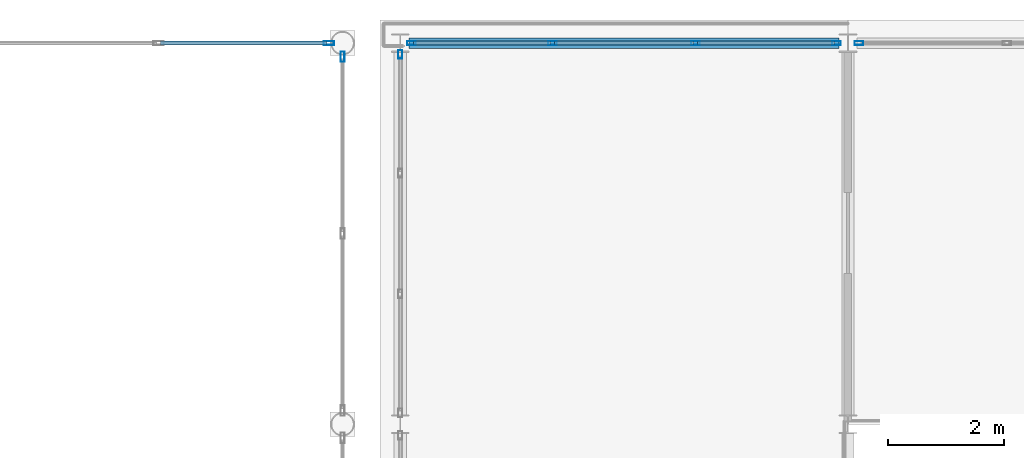
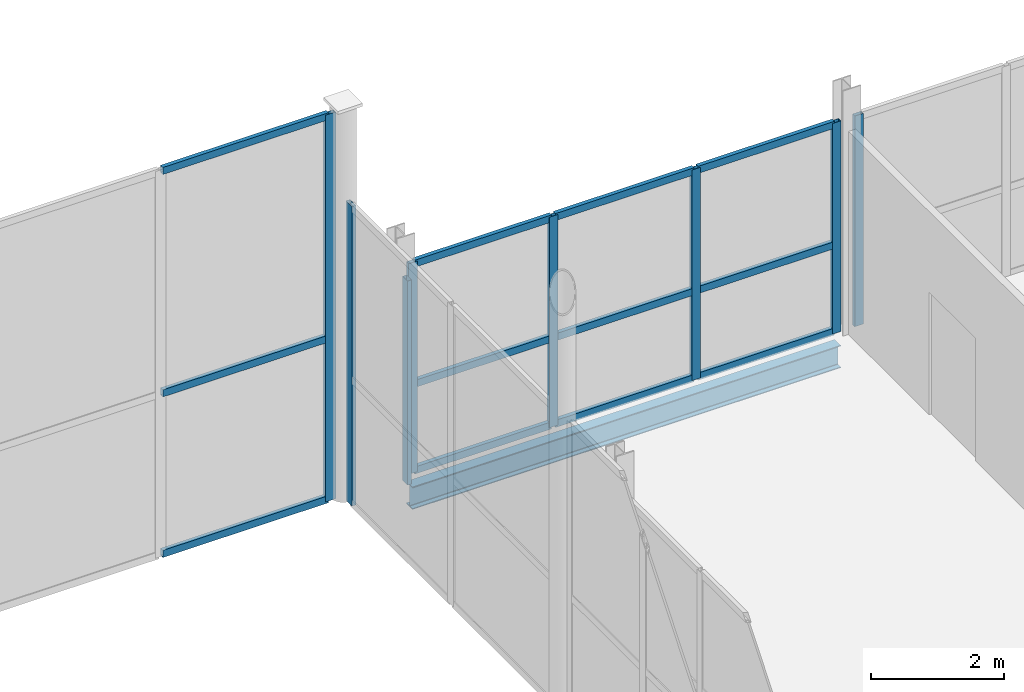
# One storey, part 49 of 77: 20 members, 1 beam, 5 elements without a shape of their own.
"""IFC4 building model written with IfcOpenShell, lengths in metres."""

import ifcopenshell
import ifcopenshell.guid

model = None  # the IFC model being written
_history = None  # IfcOwnerHistory: only IFC2X3 demands one
_inside = {}  # id of a spatial element -> (the spatial element, [elements in it])
_under = {}  # id of a project, library or spatial element -> (it, [spatial elements below it])
_declared = {}  # id of a project -> (the project, [libraries it declares])
_typed = {}  # id of a type object -> (the type object, [elements of that type])
_made_of = {}  # id of a material, layer set ... -> (it, [elements and type objects made of it])


def new_model(schema):
    """Start an empty IFC model of exactly this schema.

    Asked for "IFC4X3", IfcOpenShell would pick the latest addendum, in which some entities
    have other attributes; the version numbers below select the first issue.
    IFC2X3 requires an IfcOwnerHistory on every rooted entity: one is made here for all.
    """
    global model, _history
    if schema == "IFC4X3":
        model = ifcopenshell.file(schema_version=(4, 3, 0, 0))
    else:
        model = ifcopenshell.file(schema=schema)
    _inside.clear()
    _under.clear()
    _declared.clear()
    _typed.clear()
    _made_of.clear()
    _history = None
    if model.schema == "IFC2X3":
        org = make("IfcOrganization", Name="unknown")
        user = make(
            "IfcPersonAndOrganization",
            ThePerson=make("IfcPerson", FamilyName="unknown"),
            TheOrganization=org,
        )
        app = make(
            "IfcApplication",
            ApplicationDeveloper=org,
            Version="unknown",
            ApplicationFullName="unknown",
            ApplicationIdentifier="unknown",
        )
        _history = make(
            "IfcOwnerHistory",
            OwningUser=user,
            OwningApplication=app,
            ChangeAction="ADDED",
            CreationDate=0,
        )
    return model


def make(cls, **values):
    """One entity of the class cls with the attributes given. An attribute that is None is left unset."""
    return model.create_entity(
        cls, **{name: value for name, value in values.items() if value is not None}
    )


def rooted(cls, **values):
    """An entity with a GlobalId (a new one), such as an element, a storey or a relation."""
    return make(cls, GlobalId=ifcopenshell.guid.new(), OwnerHistory=_history, **values)


def si_unit(unit_type, name, prefix=None):
    """IfcSIUnit, for example si_unit("LENGTHUNIT", "METRE", prefix="MILLI")."""
    return make("IfcSIUnit", UnitType=unit_type, Prefix=prefix, Name=name)


def assignment(units):
    """IfcUnitAssignment: the units of a project."""
    return None if units is None else make("IfcUnitAssignment", Units=units)


def point(xyz):
    """IfcCartesianPoint."""
    return None if xyz is None else make("IfcCartesianPoint", Coordinates=xyz)


def direction(xyz):
    """IfcDirection."""
    return None if xyz is None else make("IfcDirection", DirectionRatios=xyz)


def frame(location, z_axis=None, x_axis=None):
    """IfcAxis2Placement3D, a coordinate frame: its origin and axes. An axis left out is left unset."""
    return make(
        "IfcAxis2Placement3D",
        Location=point(location),
        Axis=direction(z_axis),
        RefDirection=direction(x_axis),
    )


def frame_2d(location, x_axis=None):
    """IfcAxis2Placement2D, a coordinate frame in the plane: its origin and x axis."""
    return make(
        "IfcAxis2Placement2D", Location=point(location), RefDirection=direction(x_axis)
    )


def origin():
    """The frame at (0, 0, 0) with its axes left unset."""
    return frame((0.0, 0.0, 0.0))


def origin_2d():
    """The frame at (0, 0) in the plane with its x axis left unset."""
    return frame_2d((0.0, 0.0))


def place(relative_to, where):
    """IfcLocalPlacement: puts the frame where relative to a parent placement (None: the world)."""
    return make(
        "IfcLocalPlacement", PlacementRelTo=relative_to, RelativePlacement=where
    )


def context(
    kind, dimensions, precision=None, world=None, true_north=None, identifier=None
):
    """IfcGeometricRepresentationContext, for example the 3D "Model" context."""
    return make(
        "IfcGeometricRepresentationContext",
        ContextIdentifier=identifier,
        ContextType=kind,
        CoordinateSpaceDimension=dimensions,
        Precision=precision,
        WorldCoordinateSystem=world,
        TrueNorth=true_north,
    )


def subcontext(parent, identifier, kind, view, scale=None):
    """IfcGeometricRepresentationSubContext, for example "Body" below "Model"."""
    return make(
        "IfcGeometricRepresentationSubContext",
        ContextIdentifier=identifier,
        ContextType=kind,
        ParentContext=parent,
        TargetScale=scale,
        TargetView=view,
    )


def project(units=None, contexts=None):
    """IfcProject with its units and contexts."""
    return rooted(
        "IfcProject",
        Name="project",
        RepresentationContexts=contexts,
        UnitsInContext=assignment(units),
    )


def spatial(cls, under=None, at=None, **own):
    """A site, building, storey or space (cls), placed at a placement, below another one or the project."""
    s = rooted(cls, ObjectPlacement=at, **own)
    if under is not None:
        _under.setdefault(under.id(), (under, []))[1].append(s)
    return s


def profile(cls, at=None, kind="AREA", **sizes):
    """A parametric profile (cls). Its sizes go by their IFC names, for example OverallWidth=200.0."""
    return make(cls, ProfileType=kind, Position=at, **sizes)


def hollow_rectangle(**sizes):
    """IfcRectangleHollowProfileDef."""
    return profile("IfcRectangleHollowProfileDef", **sizes)


def i_section(**sizes):
    """IfcIShapeProfileDef."""
    return profile("IfcIShapeProfileDef", **sizes)


def extrude(swept, where, along, depth):
    """IfcExtrudedAreaSolid: the profile swept, set in the frame where, extruded along a direction by depth."""
    return make(
        "IfcExtrudedAreaSolid",
        SweptArea=swept,
        Position=where,
        ExtrudedDirection=direction(along),
        Depth=depth,
    )


def shape(context_of_items, identifier, shape_type, items):
    """IfcShapeRepresentation: the items that make up one representation, for example the "Body"."""
    return make(
        "IfcShapeRepresentation",
        ContextOfItems=context_of_items,
        RepresentationIdentifier=identifier,
        RepresentationType=shape_type,
        Items=items,
    )


def material(Name=None, Category=None):
    """IfcMaterial."""
    return make("IfcMaterial", Name=Name, Category=Category)


def layer(
    of_material, thickness, ventilated=None, Name=None, Category=None, Priority=None
):
    """IfcMaterialLayer: one layer of a wall or slab, of a material (None: an air gap)."""
    return make(
        "IfcMaterialLayer",
        Material=of_material,
        LayerThickness=thickness,
        IsVentilated=ventilated,
        Name=Name,
        Category=Category,
        Priority=Priority,
    )


def layer_set(layers, Name=None):
    """IfcMaterialLayerSet."""
    return make("IfcMaterialLayerSet", MaterialLayers=layers, LayerSetName=Name)


def material_profile(
    of_material, cross_section, Name=None, Category=None, Priority=None
):
    """IfcMaterialProfile: a cross section and its material."""
    return make(
        "IfcMaterialProfile",
        Name=Name,
        Material=of_material,
        Profile=cross_section,
        Priority=Priority,
        Category=Category,
    )


def profile_set(profiles, Name=None, composite=None):
    """IfcMaterialProfileSet."""
    return make(
        "IfcMaterialProfileSet",
        Name=Name,
        MaterialProfiles=profiles,
        CompositeProfile=composite,
    )


def made_of(thing, what):
    """Note that an element or type object is made of a material, layer set ...; save() writes the relation."""
    if what is not None:
        _made_of.setdefault(what.id(), (what, []))[1].append(thing)
    return thing


def type_object(cls, material=None, **own):
    """A type object (cls), such as IfcWallType, which elements share."""
    return made_of(rooted(cls, **own), material)


def element(
    cls,
    number,
    at=None,
    inside=None,
    cuts=None,
    type_object=None,
    material=None,
    context=None,
    identifier="Body",
    shape_type=None,
    held_by="IfcProductDefinitionShape",
    body=None,
    shapes=None,
    **own,
):
    """One element of the class cls, such as IfcWall. Its Tag is "e" and its number.

    at: its placement. inside: the storey or other place that contains it. cuts: it is an
    opening in that element (IfcRelVoidsElement). A single representation is given by context,
    identifier, shape_type and body (its items); several are given by shapes. held_by: the class
    of the entity that holds the representations. save() writes the other relations.
    """
    e = rooted(cls, Tag="e%d" % number, ObjectPlacement=at, **own)
    if body is not None:
        shapes = [shape(context, identifier, shape_type, body)]
    if shapes is not None:
        e.Representation = make(held_by, Representations=shapes)
    if inside is not None:
        _inside.setdefault(inside.id(), (inside, []))[1].append(e)
    if cuts is not None:
        rooted(
            "IfcRelVoidsElement", RelatingBuildingElement=cuts, RelatedOpeningElement=e
        )
    if type_object is not None:
        _typed.setdefault(type_object.id(), (type_object, []))[1].append(e)
    return made_of(e, material)


def aggregate(whole, parts):
    """IfcRelAggregates: a whole, such as a stair, and the parts it consists of."""
    return rooted("IfcRelAggregates", RelatingObject=whole, RelatedObjects=parts)


def save(model, path):
    """Write the relations noted so far, then the file.

    IfcRelAggregates (storeys below a building ...), IfcRelContainedInSpatialStructure (elements
    in a storey), IfcRelDefinesByType, IfcRelAssociatesMaterial and IfcRelDeclares: one each for
    every whole, place, type object, material and project.
    """
    for whole, parts in _under.values():
        aggregate(whole, parts)
    for where, things in _inside.values():
        rooted(
            "IfcRelContainedInSpatialStructure",
            RelatedElements=things,
            RelatingStructure=where,
        )
    for kind, things in _typed.values():
        rooted("IfcRelDefinesByType", RelatedObjects=things, RelatingType=kind)
    for what, things in _made_of.values():
        rooted("IfcRelAssociatesMaterial", RelatedObjects=things, RelatingMaterial=what)
    for by, libraries in _declared.values():
        rooted("IfcRelDeclares", RelatingContext=by, RelatedDefinitions=libraries)
    model.write(path)


model = new_model("IFC4")

# Units and contexts
model_context = context("Model", 3, precision=1e-05, world=origin(), true_north=direction((0.0, 1.0)))
body_context = subcontext(model_context, "Body", "Model", "MODEL_VIEW")
ifc_project = project(units=[si_unit("LENGTHUNIT", "METRE"), si_unit("AREAUNIT", "SQUARE_METRE"), si_unit("VOLUMEUNIT", "CUBIC_METRE"), si_unit("PLANEANGLEUNIT", "RADIAN"), si_unit("MASSUNIT", "GRAM", prefix="KILO")], contexts=[model_context])

# Site, building, storey
site_placement = place(None, origin())
site = spatial("IfcSite", under=ifc_project, at=site_placement, CompositionType="ELEMENT")
building_placement = place(site_placement, origin())
building = spatial("IfcBuilding", under=site, at=building_placement, Name="Quillay Park Conservatory", CompositionType="ELEMENT")
storey_placement = place(building_placement, frame((0.0, 0.0, 5.39990234375)))
storey = spatial("IfcBuildingStorey", under=building, at=storey_placement, Name="L01", CompositionType="ELEMENT", Elevation=5.39990234375)

# Curtain wall, members
ifc_material_1 = material(Name="Thermally Broken Anodised Aluminium 6063-T6", Category="aluminium")
ifc_layer_1 = layer(ifc_material_1, 0.1650390625)
ifc_layer_set_1 = layer_set([ifc_layer_1], Name="UNITISED CURTAIN WALL PODIUM (Thermally Broken Anodised Aluminium 6063-T6)")
curtain_wall_type_1 = type_object("IfcCurtainWallType", Name="UNITISED CURTAIN WALL PODIUM", PredefinedType="USERDEFINED", material=ifc_layer_set_1)
curtain_wall_1_placement = place(storey_placement, origin())
curtain_wall_1 = element("IfcCurtainWall", 1, at=curtain_wall_1_placement, inside=storey, type_object=curtain_wall_type_1, Name="L01 Unitised Curtain Wall 219", ObjectType="UNITISED CURTAIN WALL", PredefinedType="USERDEFINED")
ifc_material_2 = material(Name="Thermally Broken Anodised Aluminium 6063-T6", Category="aluminium")
ifc_material_profile_1 = material_profile(ifc_material_2, hollow_rectangle(XDim=0.070068359375, YDim=0.14990234375, WallThickness=0.00341796875, at=origin_2d()), Name="AL70x150x3.5")
ifc_profile_set_1 = profile_set([ifc_material_profile_1], Name="Thermally Broken Anodised Aluminium 6063-T6")
member_type_1 = type_object("IfcMemberType", Name="CURTAIN WALL MULLION 70 X150", PredefinedType="MULLION", material=ifc_profile_set_1)
member_1_placement = place(storey_placement, frame((116.044921875, 113.39990234375, 0.0), z_axis=(0.0, 0.0, 1.0), x_axis=(0.0, 1.0, 0.0)))
member_1 = element("IfcMember", 2, at=member_1_placement, type_object=member_type_1, Name="CW-P1 mullion 1", PredefinedType="MULLION", context=body_context, shape_type="SweptSolid", body=[
    extrude(hollow_rectangle(XDim=0.070068359375, YDim=0.14990234375, WallThickness=0.00341796875, at=origin_2d()), origin(), (0.0, 0.0, 1.0), 3.869140625),
])
member_2_placement = place(storey_placement, frame((118.486572265625, 113.39990234375, 0.0), z_axis=(0.0, 0.0, 1.0), x_axis=(0.0, 1.0, 0.0)))
member_2 = element("IfcMember", 3, at=member_2_placement, type_object=member_type_1, Name="CW-P1 mullion 2", PredefinedType="MULLION", context=body_context, shape_type="SweptSolid", body=[
    extrude(hollow_rectangle(XDim=0.070068359375, YDim=0.14990234375, WallThickness=0.00341796875, at=origin_2d()), origin(), (0.0, 0.0, 1.0), 3.869140625),
])
member_3_placement = place(storey_placement, frame((120.96337890625, 113.39990234375, 0.0), z_axis=(0.0, 0.0, 1.0), x_axis=(0.0, 1.0, 0.0)))
member_3 = element("IfcMember", 4, at=member_3_placement, type_object=member_type_1, Name="CW-P1 mullion 3", PredefinedType="MULLION", context=body_context, shape_type="SweptSolid", body=[
    extrude(hollow_rectangle(XDim=0.070068359375, YDim=0.14990234375, WallThickness=0.00341796875, at=origin_2d()), origin(), (0.0, 0.0, 1.0), 3.869140625),
])
member_4_placement = place(storey_placement, frame((123.405029296875, 113.39990234375, 0.0), z_axis=(0.0, 0.0, 1.0), x_axis=(0.0, 1.0, 0.0)))
member_4 = element("IfcMember", 5, at=member_4_placement, type_object=member_type_1, Name="CW-P1 mullion 4", PredefinedType="MULLION", context=body_context, shape_type="SweptSolid", body=[
    extrude(hollow_rectangle(XDim=0.070068359375, YDim=0.14990234375, WallThickness=0.00341796875, at=origin_2d()), origin(), (0.0, 0.0, 1.0), 3.869140625),
])

# Curtain wall, member
curtain_wall_2_placement = place(storey_placement, origin())
curtain_wall_2 = element("IfcCurtainWall", 6, at=curtain_wall_2_placement, inside=storey, type_object=curtain_wall_type_1, Name="L01 Unitised Curtain Wall 220", ObjectType="UNITISED CURTAIN WALL", PredefinedType="USERDEFINED")
member_5_placement = place(storey_placement, frame((123.794921875, 113.39990234375, 0.0), z_axis=(0.0, 0.0, 1.0), x_axis=(0.0, 1.0, 0.0)))
member_5 = element("IfcMember", 7, at=member_5_placement, type_object=member_type_1, Name="CW-P1 mullion 1", PredefinedType="MULLION", context=body_context, shape_type="SweptSolid", body=[
    extrude(hollow_rectangle(XDim=0.070068359375, YDim=0.14990234375, WallThickness=0.00341796875, at=origin_2d()), origin(), (0.0, 0.0, 1.0), 3.869140625),
])
aggregate(curtain_wall_2, [member_5])

curtain_wall_3_placement = place(storey_placement, origin())
curtain_wall_3 = element("IfcCurtainWall", 8, at=curtain_wall_3_placement, inside=storey, type_object=curtain_wall_type_1, Name="L01 Unitised Curtain Wall 228", ObjectType="UNITISED CURTAIN WALL", PredefinedType="USERDEFINED")
member_6_placement = place(storey_placement, frame((115.85009765625, 113.205078125, 0.0), z_axis=(0.0, 0.0, 1.0), x_axis=(-1.0, 0.0, 0.0)))
member_6 = element("IfcMember", 9, at=member_6_placement, type_object=member_type_1, Name="CW-P1 mullion 4", PredefinedType="MULLION", context=body_context, shape_type="SweptSolid", body=[
    extrude(hollow_rectangle(XDim=0.070068359375, YDim=0.14990234375, WallThickness=0.00341796875, at=origin_2d()), origin(), (0.0, 0.0, 1.0), 3.7490234375),
])
aggregate(curtain_wall_3, [member_6])

ifc_material_3 = material(Name="Thermally Broken Anodised Aluminium 6063-T6", Category="aluminium")
ifc_layer_2 = layer(ifc_material_3, 0.219970703125)
ifc_layer_set_2 = layer_set([ifc_layer_2], Name="UNITISED CURTAIN WALL CONSERVATORY (Thermally Broken Anodised Aluminium 6063-T6)")
curtain_wall_type_2 = type_object("IfcCurtainWallType", Name="UNITISED CURTAIN WALL CONSERVATORY", PredefinedType="USERDEFINED", material=ifc_layer_set_2)
curtain_wall_4_placement = place(storey_placement, origin())
curtain_wall_4 = element("IfcCurtainWall", 10, at=curtain_wall_4_placement, inside=storey, type_object=curtain_wall_type_2, Name="L01 Unitised Curtain Wall 162", ObjectType="UNITISED CURTAIN WALL", PredefinedType="USERDEFINED")
ifc_material_4 = material(Name="Thermally Broken Anodised Aluminium 6063-T6", Category="aluminium")
ifc_material_profile_2 = material_profile(ifc_material_4, hollow_rectangle(XDim=0.070068359375, YDim=0.179931640625, WallThickness=0.00390625, at=origin_2d()), Name="AL70x180x4")
ifc_profile_set_2 = profile_set([ifc_material_profile_2], Name="Thermally Broken Anodised Aluminium 6063-T6")
member_type_2 = type_object("IfcMemberType", Name="CURTAIN WALL MULLION 70 X180", PredefinedType="MULLION", material=ifc_profile_set_2)
member_7_placement = place(storey_placement, frame((114.613037109375, 113.39990234375, 0.0), z_axis=(0.0, 0.0, 1.0), x_axis=(0.0, 1.0, 0.0)))
member_7 = element("IfcMember", 11, at=member_7_placement, type_object=member_type_2, Name="CW-C1 mullion 4", PredefinedType="MULLION", context=body_context, shape_type="SweptSolid", body=[
    extrude(hollow_rectangle(XDim=0.070068359375, YDim=0.179931640625, WallThickness=0.00390625, at=origin_2d()), origin(), (0.0, 0.0, 1.0), 7.104248046875),
])

curtain_wall_5_placement = place(storey_placement, origin())
curtain_wall_5 = element("IfcCurtainWall", 12, at=curtain_wall_5_placement, inside=storey, type_object=curtain_wall_type_2, Name="L01 Unitised Curtain Wall 174", ObjectType="UNITISED CURTAIN WALL", PredefinedType="USERDEFINED")
member_8_placement = place(storey_placement, frame((114.85009765625, 113.1630859375, 0.0), z_axis=(0.0, 0.0, 1.0), x_axis=(1.0, 0.0, 0.0)))
member_8 = element("IfcMember", 13, at=member_8_placement, type_object=member_type_2, Name="CW-C1 mullion 1", PredefinedType="MULLION", context=body_context, shape_type="SweptSolid", body=[
    extrude(hollow_rectangle(XDim=0.070068359375, YDim=0.179931640625, WallThickness=0.00390625, at=origin_2d()), origin(), (0.0, 0.0, 1.0), 5.5),
])
aggregate(curtain_wall_5, [member_8])

# Member
ifc_material_5 = material(Name="Thermally Broken Anodised Aluminium 6063-T6", Category="aluminium")
ifc_material_profile_3 = material_profile(ifc_material_5, hollow_rectangle(XDim=0.070068359375, YDim=0.1298828125, WallThickness=0.003173828125, at=origin_2d()), Name="AL70x130x3.2")
ifc_profile_set_3 = profile_set([ifc_material_profile_3], Name="Thermally Broken Anodised Aluminium 6063-T6")
member_type_3 = type_object("IfcMemberType", Name="CURTAIN WALL TRANSOM 70 X130", PredefinedType="USERDEFINED", material=ifc_profile_set_3)
member_9_placement = place(storey_placement, frame((111.69921875, 113.39990234375, 0.03515625), z_axis=(1.0, 0.0, 0.0), x_axis=(0.0, 1.0, 0.0)))
member_9 = element("IfcMember", 14, at=member_9_placement, type_object=member_type_3, Name="CW-C1 transom 3.1", ObjectType="TRANSOM", PredefinedType="USERDEFINED", context=body_context, shape_type="SweptSolid", body=[
    extrude(hollow_rectangle(XDim=0.070068359375, YDim=0.1298828125, WallThickness=0.003173828125, at=origin_2d()), origin(), (0.0, 0.0, 1.0), 2.878662109375),
])

member_10_placement = place(storey_placement, frame((111.69921875, 113.39990234375, 2.98388671875), z_axis=(1.0, 0.0, 0.0), x_axis=(0.0, 1.0, 0.0)))
member_10 = element("IfcMember", 15, at=member_10_placement, type_object=member_type_3, Name="CW-C1 transom 3.2", ObjectType="TRANSOM", PredefinedType="USERDEFINED", context=body_context, shape_type="SweptSolid", body=[
    extrude(hollow_rectangle(XDim=0.070068359375, YDim=0.1298828125, WallThickness=0.003173828125, at=origin_2d()), origin(), (0.0, 0.0, 1.0), 2.878662109375),
])

member_11_placement = place(storey_placement, frame((111.69921875, 113.39990234375, 7.0693359375), z_axis=(1.0, 0.0, 0.0), x_axis=(0.0, 1.0, 0.0)))
member_11 = element("IfcMember", 16, at=member_11_placement, type_object=member_type_3, Name="CW-C1 transom 3.3", ObjectType="TRANSOM", PredefinedType="USERDEFINED", context=body_context, shape_type="SweptSolid", body=[
    extrude(hollow_rectangle(XDim=0.070068359375, YDim=0.1298828125, WallThickness=0.003173828125, at=origin_2d()), origin(), (0.0, 0.0, 1.0), 2.878662109375),
])

aggregate(curtain_wall_4, [member_7, member_9, member_10, member_11])

member_12_placement = place(storey_placement, frame((116.080078125, 113.39990234375, 0.03515625), z_axis=(1.0, 0.0, 0.0), x_axis=(0.0, 1.0, 0.0)))
member_12 = element("IfcMember", 17, at=member_12_placement, type_object=member_type_3, Name="CW-P1 transom 1.1", ObjectType="TRANSOM", PredefinedType="USERDEFINED", context=body_context, shape_type="SweptSolid", body=[
    extrude(hollow_rectangle(XDim=0.070068359375, YDim=0.1298828125, WallThickness=0.003173828125, at=origin_2d()), origin(), (0.0, 0.0, 1.0), 2.37158203125),
])

member_13_placement = place(storey_placement, frame((116.080078125, 113.39990234375, 1.625), z_axis=(1.0, 0.0, 0.0), x_axis=(0.0, 1.0, 0.0)))
member_13 = element("IfcMember", 18, at=member_13_placement, type_object=member_type_3, Name="CW-P1 transom 1.2", ObjectType="TRANSOM", PredefinedType="USERDEFINED", context=body_context, shape_type="SweptSolid", body=[
    extrude(hollow_rectangle(XDim=0.070068359375, YDim=0.1298828125, WallThickness=0.003173828125, at=origin_2d()), origin(), (0.0, 0.0, 1.0), 2.37158203125),
])

member_14_placement = place(storey_placement, frame((116.080078125, 113.39990234375, 3.833984375), z_axis=(1.0, 0.0, 0.0), x_axis=(0.0, 1.0, 0.0)))
member_14 = element("IfcMember", 19, at=member_14_placement, type_object=member_type_3, Name="CW-P1 transom 1.3", ObjectType="TRANSOM", PredefinedType="USERDEFINED", context=body_context, shape_type="SweptSolid", body=[
    extrude(hollow_rectangle(XDim=0.070068359375, YDim=0.1298828125, WallThickness=0.003173828125, at=origin_2d()), origin(), (0.0, 0.0, 1.0), 2.37158203125),
])

member_15_placement = place(storey_placement, frame((118.521728515625, 113.39990234375, 0.03515625), z_axis=(1.0, 0.0, 0.0), x_axis=(0.0, 1.0, 0.0)))
member_15 = element("IfcMember", 20, at=member_15_placement, type_object=member_type_3, Name="CW-P1 transom 2.1", ObjectType="TRANSOM", PredefinedType="USERDEFINED", context=body_context, shape_type="SweptSolid", body=[
    extrude(hollow_rectangle(XDim=0.070068359375, YDim=0.1298828125, WallThickness=0.003173828125, at=origin_2d()), origin(), (0.0, 0.0, 1.0), 2.406494140625),
])

member_16_placement = place(storey_placement, frame((118.521728515625, 113.39990234375, 1.625), z_axis=(1.0, 0.0, 0.0), x_axis=(0.0, 1.0, 0.0)))
member_16 = element("IfcMember", 21, at=member_16_placement, type_object=member_type_3, Name="CW-P1 transom 2.2", ObjectType="TRANSOM", PredefinedType="USERDEFINED", context=body_context, shape_type="SweptSolid", body=[
    extrude(hollow_rectangle(XDim=0.070068359375, YDim=0.1298828125, WallThickness=0.003173828125, at=origin_2d()), origin(), (0.0, 0.0, 1.0), 2.406494140625),
])

member_17_placement = place(storey_placement, frame((118.521728515625, 113.39990234375, 3.833984375), z_axis=(1.0, 0.0, 0.0), x_axis=(0.0, 1.0, 0.0)))
member_17 = element("IfcMember", 22, at=member_17_placement, type_object=member_type_3, Name="CW-P1 transom 2.3", ObjectType="TRANSOM", PredefinedType="USERDEFINED", context=body_context, shape_type="SweptSolid", body=[
    extrude(hollow_rectangle(XDim=0.070068359375, YDim=0.1298828125, WallThickness=0.003173828125, at=origin_2d()), origin(), (0.0, 0.0, 1.0), 2.406494140625),
])

member_18_placement = place(storey_placement, frame((120.998291015625, 113.39990234375, 0.03515625), z_axis=(1.0, 0.0, 0.0), x_axis=(0.0, 1.0, 0.0)))
member_18 = element("IfcMember", 23, at=member_18_placement, type_object=member_type_3, Name="CW-P1 transom 3.1", ObjectType="TRANSOM", PredefinedType="USERDEFINED", context=body_context, shape_type="SweptSolid", body=[
    extrude(hollow_rectangle(XDim=0.070068359375, YDim=0.1298828125, WallThickness=0.003173828125, at=origin_2d()), origin(), (0.0, 0.0, 1.0), 2.371826171875),
])

member_19_placement = place(storey_placement, frame((120.998291015625, 113.39990234375, 1.625), z_axis=(1.0, 0.0, 0.0), x_axis=(0.0, 1.0, 0.0)))
member_19 = element("IfcMember", 24, at=member_19_placement, type_object=member_type_3, Name="CW-P1 transom 3.2", ObjectType="TRANSOM", PredefinedType="USERDEFINED", context=body_context, shape_type="SweptSolid", body=[
    extrude(hollow_rectangle(XDim=0.070068359375, YDim=0.1298828125, WallThickness=0.003173828125, at=origin_2d()), origin(), (0.0, 0.0, 1.0), 2.371826171875),
])

member_20_placement = place(storey_placement, frame((120.998291015625, 113.39990234375, 3.833984375), z_axis=(1.0, 0.0, 0.0), x_axis=(0.0, 1.0, 0.0)))
member_20 = element("IfcMember", 25, at=member_20_placement, type_object=member_type_3, Name="CW-P1 transom 3.3", ObjectType="TRANSOM", PredefinedType="USERDEFINED", context=body_context, shape_type="SweptSolid", body=[
    extrude(hollow_rectangle(XDim=0.070068359375, YDim=0.1298828125, WallThickness=0.003173828125, at=origin_2d()), origin(), (0.0, 0.0, 1.0), 2.371826171875),
])

aggregate(curtain_wall_1, [member_1, member_2, member_3, member_4, member_12, member_13, member_14, member_15, member_16, member_17, member_18, member_19, member_20])

# Beam
ifc_material_6 = material(Name="Steel ASTM A992 Grade 50", Category="steel")
ifc_material_profile_4 = material_profile(ifc_material_6, i_section(OverallWidth=0.179931640625, OverallDepth=0.4130859375, WebThickness=0.009765625, FlangeThickness=0.01611328125, FilletRadius=0.011962890625, at=origin_2d()), Name="W410x74")
ifc_profile_set_4 = profile_set([ifc_material_profile_4], Name="Steel ASTM A992 Grade 50")
beam_type = type_object("IfcBeamType", Name="PERIMETER SPANDREL BEAM W410 X74", PredefinedType="SPANDREL", material=ifc_profile_set_4)
beam_placement = place(storey_placement, frame((116.0048828125, 113.39990234375, -0.41650390625), z_axis=(1.0, 0.0, 0.0), x_axis=(0.0, 1.0, 0.0)))
element("IfcBeam", 26, at=beam_placement, inside=storey, type_object=beam_type, Name="L01 beam BM-V2P-1705", PredefinedType="SPANDREL", context=body_context, shape_type="SweptSolid", body=[
    extrude(i_section(OverallWidth=0.179931640625, OverallDepth=0.4130859375, WebThickness=0.009765625, FlangeThickness=0.01611328125, FilletRadius=0.011962890625, at=origin_2d()), origin(), (0.0, 0.0, 1.0), 7.440185546875),
])

save(model, "model.ifc")
